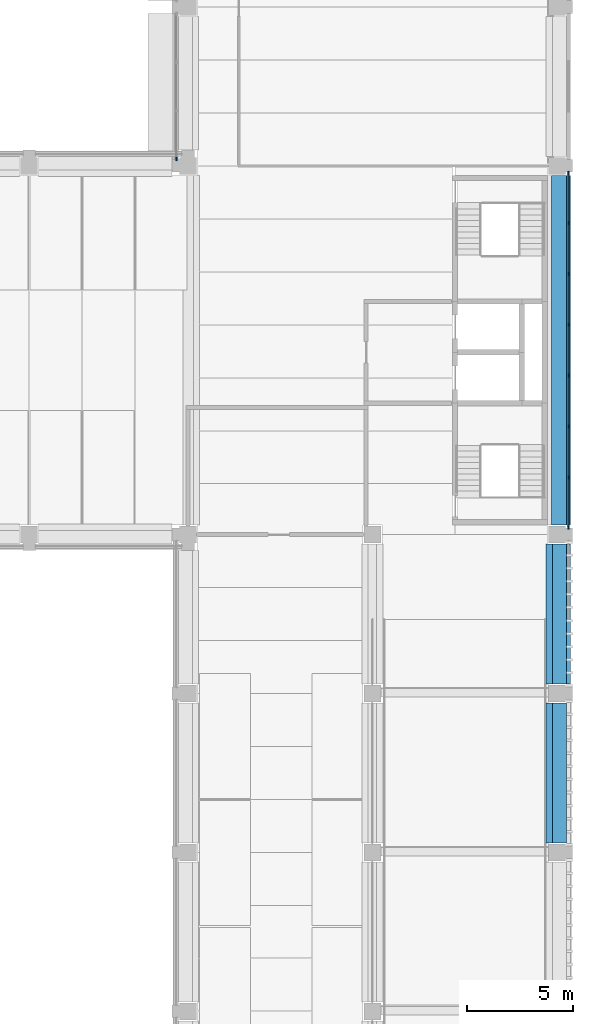
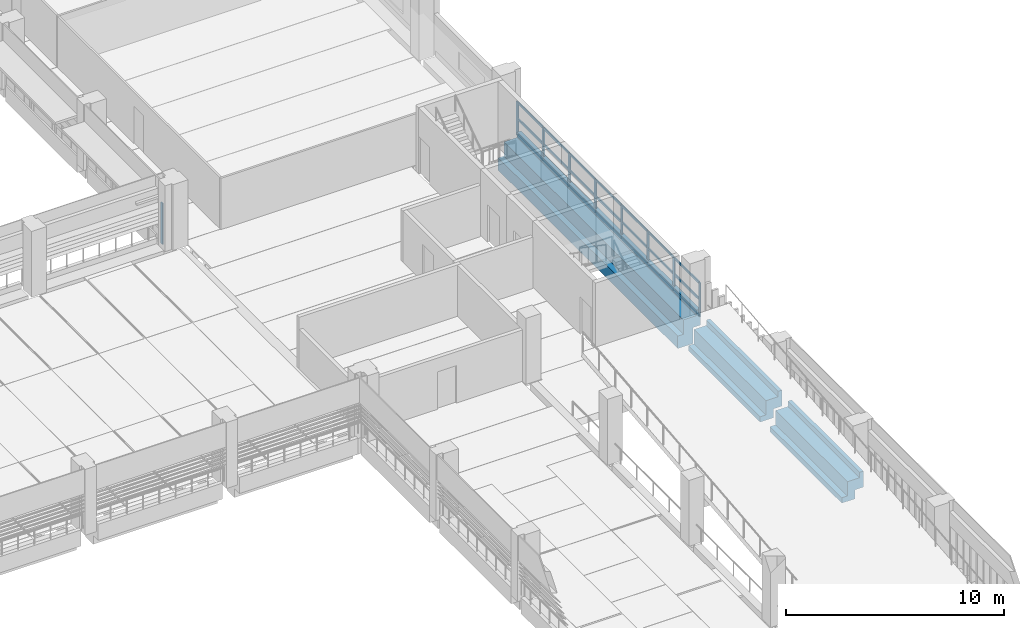
# One storey, part 20 of 61: 30 members, 3 beams, 2 elements without a shape of their own.
"""IFC4 building model written with IfcOpenShell, lengths in metres."""

from ifc_helpers import new_model, si_unit, direction, frame, origin, origin_2d, place, context, subcontext, project, spatial, polyline, rectangle, outline, extrude, material, layer, layer_set, material_profile, profile_set, type_object, element, aggregate, save


model = new_model("IFC4")

# Units and contexts
model_context = context("Model", 3, precision=1e-05, world=origin(), true_north=direction((0.0, 1.0)))
body_context = subcontext(model_context, "Body", "Model", "MODEL_VIEW")
ifc_project = project(units=[si_unit("LENGTHUNIT", "METRE"), si_unit("AREAUNIT", "SQUARE_METRE"), si_unit("VOLUMEUNIT", "CUBIC_METRE"), si_unit("PLANEANGLEUNIT", "RADIAN"), si_unit("MASSUNIT", "GRAM", prefix="KILO")], contexts=[model_context])

# Site, building, storey
site_placement = place(None, origin())
site = spatial("IfcSite", under=ifc_project, at=site_placement, CompositionType="ELEMENT")
building_placement = place(site_placement, origin())
building = spatial("IfcBuilding", under=site, at=building_placement, Name="Cour d'Honneur Mobility Palace", CompositionType="ELEMENT")
storey_placement = place(building_placement, frame((0.0, 0.0, 11.89990234375)))
storey = spatial("IfcBuildingStorey", under=building, at=storey_placement, Name="L03", CompositionType="ELEMENT", Elevation=11.89990234375)

# Curtain wall, member
ifc_material_1 = material(Name="Aluminium and glass", Category="aluminium")
ifc_layer = layer(ifc_material_1, 0.10009765625)
ifc_layer_set = layer_set([ifc_layer], Name="Aluminium and glass")
curtain_wall_type = type_object("IfcCurtainWallType", Name="Curtain wall run", PredefinedType="NOTDEFINED", material=ifc_layer_set)
curtain_wall_1_placement = place(storey_placement, origin())
curtain_wall_1 = element("IfcCurtainWall", 1, at=curtain_wall_1_placement, inside=storey, type_object=curtain_wall_type, Name="Curtain wall CW-64", PredefinedType="NOTDEFINED")
ifc_material_2 = material(Name="Aluminium", Category="aluminium")
ifc_material_profile_1 = material_profile(ifc_material_2, rectangle(XDim=0.06005859375, YDim=0.159912109375, at=origin_2d()), Name="Curtain wall mullion")
ifc_profile_set_1 = profile_set([ifc_material_profile_1], Name="Aluminium")
member_type_1 = type_object("IfcMemberType", Name="Curtain wall mullion", PredefinedType="MULLION", material=ifc_profile_set_1)
member_1_placement = place(storey_placement, frame((144.35009765625, 62.72998046875, 0.0), z_axis=(0.0, 0.0, 1.0), x_axis=(1.0, 0.0, 0.0)))
member_1 = element("IfcMember", 2, at=member_1_placement, type_object=member_type_1, Name="CW-64 mullion 4", PredefinedType="MULLION", context=body_context, shape_type="SweptSolid", body=[
    extrude(rectangle(XDim=0.06005859375, YDim=0.159912109375, at=origin_2d()), origin(), (0.0, 0.0, 1.0), 2.300048828125),
])
aggregate(curtain_wall_1, [member_1])

# Curtain wall, members
curtain_wall_2_placement = place(storey_placement, origin())
curtain_wall_2 = element("IfcCurtainWall", 3, at=curtain_wall_2_placement, inside=storey, type_object=curtain_wall_type, Name="Curtain wall CW-89", PredefinedType="NOTDEFINED")
member_2_placement = place(storey_placement, frame((162.85009765625, 45.330078125, 0.0), z_axis=(0.0, 0.0, 1.0), x_axis=(-1.0, 0.0, 0.0)))
member_2 = element("IfcMember", 4, at=member_2_placement, type_object=member_type_1, Name="CW-89 mullion 1", PredefinedType="MULLION", context=body_context, shape_type="SweptSolid", body=[
    extrude(rectangle(XDim=0.06005859375, YDim=0.159912109375, at=origin_2d()), origin(), (0.0, 0.0, 1.0), 1.900146484375),
])
member_3_placement = place(storey_placement, frame((162.85009765625, 47.699951171875, 0.0), z_axis=(0.0, 0.0, 1.0), x_axis=(-1.0, 0.0, 0.0)))
member_3 = element("IfcMember", 5, at=member_3_placement, type_object=member_type_1, Name="CW-89 mullion 2", PredefinedType="MULLION", context=body_context, shape_type="SweptSolid", body=[
    extrude(rectangle(XDim=0.06005859375, YDim=0.159912109375, at=origin_2d()), origin(), (0.0, 0.0, 1.0), 1.900146484375),
])
member_4_placement = place(storey_placement, frame((162.85009765625, 50.10009765625, 0.0), z_axis=(0.0, 0.0, 1.0), x_axis=(-1.0, 0.0, 0.0)))
member_4 = element("IfcMember", 6, at=member_4_placement, type_object=member_type_1, Name="CW-89 mullion 3", PredefinedType="MULLION", context=body_context, shape_type="SweptSolid", body=[
    extrude(rectangle(XDim=0.06005859375, YDim=0.159912109375, at=origin_2d()), origin(), (0.0, 0.0, 1.0), 1.900146484375),
])
member_5_placement = place(storey_placement, frame((162.85009765625, 52.5, 0.0), z_axis=(0.0, 0.0, 1.0), x_axis=(-1.0, 0.0, 0.0)))
member_5 = element("IfcMember", 7, at=member_5_placement, type_object=member_type_1, Name="CW-89 mullion 4", PredefinedType="MULLION", context=body_context, shape_type="SweptSolid", body=[
    extrude(rectangle(XDim=0.06005859375, YDim=0.159912109375, at=origin_2d()), origin(), (0.0, 0.0, 1.0), 1.900146484375),
])
member_6_placement = place(storey_placement, frame((162.85009765625, 54.89990234375, 0.0), z_axis=(0.0, 0.0, 1.0), x_axis=(-1.0, 0.0, 0.0)))
member_6 = element("IfcMember", 8, at=member_6_placement, type_object=member_type_1, Name="CW-89 mullion 5", PredefinedType="MULLION", context=body_context, shape_type="SweptSolid", body=[
    extrude(rectangle(XDim=0.06005859375, YDim=0.159912109375, at=origin_2d()), origin(), (0.0, 0.0, 1.0), 1.900146484375),
])
member_7_placement = place(storey_placement, frame((162.85009765625, 57.300048828125, 0.0), z_axis=(0.0, 0.0, 1.0), x_axis=(-1.0, 0.0, 0.0)))
member_7 = element("IfcMember", 9, at=member_7_placement, type_object=member_type_1, Name="CW-89 mullion 6", PredefinedType="MULLION", context=body_context, shape_type="SweptSolid", body=[
    extrude(rectangle(XDim=0.06005859375, YDim=0.159912109375, at=origin_2d()), origin(), (0.0, 0.0, 1.0), 1.900146484375),
])
member_8_placement = place(storey_placement, frame((162.85009765625, 59.699951171875, 0.0), z_axis=(0.0, 0.0, 1.0), x_axis=(-1.0, 0.0, 0.0)))
member_8 = element("IfcMember", 10, at=member_8_placement, type_object=member_type_1, Name="CW-89 mullion 7", PredefinedType="MULLION", context=body_context, shape_type="SweptSolid", body=[
    extrude(rectangle(XDim=0.06005859375, YDim=0.159912109375, at=origin_2d()), origin(), (0.0, 0.0, 1.0), 1.900146484375),
])
member_9_placement = place(storey_placement, frame((162.85009765625, 62.070068359375, 0.0), z_axis=(0.0, 0.0, 1.0), x_axis=(-1.0, 0.0, 0.0)))
member_9 = element("IfcMember", 11, at=member_9_placement, type_object=member_type_1, Name="CW-89 mullion 8", PredefinedType="MULLION", context=body_context, shape_type="SweptSolid", body=[
    extrude(rectangle(XDim=0.06005859375, YDim=0.159912109375, at=origin_2d()), origin(), (0.0, 0.0, 1.0), 1.900146484375),
])
ifc_material_3 = material(Name="Aluminium", Category="aluminium")
ifc_material_profile_2 = material_profile(ifc_material_3, rectangle(XDim=0.06005859375, YDim=0.1201171875, at=origin_2d()), Name="Curtain wall transom")
ifc_profile_set_2 = profile_set([ifc_material_profile_2], Name="Aluminium")
member_type_2 = type_object("IfcMemberType", Name="Curtain wall transom", PredefinedType="USERDEFINED", material=ifc_profile_set_2)
member_10_placement = place(storey_placement, frame((162.85009765625, 45.360107421875, 0.030029296875), z_axis=(0.0, 1.0, 0.0), x_axis=(-1.0, 0.0, 0.0)))
member_10 = element("IfcMember", 12, at=member_10_placement, type_object=member_type_2, Name="CW-89 transom 1.1", ObjectType="TRANSOM", PredefinedType="USERDEFINED", context=body_context, shape_type="SweptSolid", body=[
    extrude(rectangle(XDim=0.06005859375, YDim=0.1201171875, at=origin_2d()), origin(), (0.0, 0.0, 1.0), 2.309814453125),
])
member_11_placement = place(storey_placement, frame((162.85009765625, 45.360107421875, 0.9501953125), z_axis=(0.0, 1.0, 0.0), x_axis=(-1.0, 0.0, 0.0)))
member_11 = element("IfcMember", 13, at=member_11_placement, type_object=member_type_2, Name="CW-89 transom 1.2", ObjectType="TRANSOM", PredefinedType="USERDEFINED", context=body_context, shape_type="SweptSolid", body=[
    extrude(rectangle(XDim=0.06005859375, YDim=0.1201171875, at=origin_2d()), origin(), (0.0, 0.0, 1.0), 2.309814453125),
])
member_12_placement = place(storey_placement, frame((162.85009765625, 45.360107421875, 1.8701171875), z_axis=(0.0, 1.0, 0.0), x_axis=(-1.0, 0.0, 0.0)))
member_12 = element("IfcMember", 14, at=member_12_placement, type_object=member_type_2, Name="CW-89 transom 1.3", ObjectType="TRANSOM", PredefinedType="USERDEFINED", context=body_context, shape_type="SweptSolid", body=[
    extrude(rectangle(XDim=0.06005859375, YDim=0.1201171875, at=origin_2d()), origin(), (0.0, 0.0, 1.0), 2.309814453125),
])
member_13_placement = place(storey_placement, frame((162.85009765625, 47.72998046875, 0.030029296875), z_axis=(0.0, 1.0, 0.0), x_axis=(-1.0, 0.0, 0.0)))
member_13 = element("IfcMember", 15, at=member_13_placement, type_object=member_type_2, Name="CW-89 transom 2.1", ObjectType="TRANSOM", PredefinedType="USERDEFINED", context=body_context, shape_type="SweptSolid", body=[
    extrude(rectangle(XDim=0.06005859375, YDim=0.1201171875, at=origin_2d()), origin(), (0.0, 0.0, 1.0), 2.340087890625),
])
member_14_placement = place(storey_placement, frame((162.85009765625, 47.72998046875, 0.9501953125), z_axis=(0.0, 1.0, 0.0), x_axis=(-1.0, 0.0, 0.0)))
member_14 = element("IfcMember", 16, at=member_14_placement, type_object=member_type_2, Name="CW-89 transom 2.2", ObjectType="TRANSOM", PredefinedType="USERDEFINED", context=body_context, shape_type="SweptSolid", body=[
    extrude(rectangle(XDim=0.06005859375, YDim=0.1201171875, at=origin_2d()), origin(), (0.0, 0.0, 1.0), 2.340087890625),
])
member_15_placement = place(storey_placement, frame((162.85009765625, 47.72998046875, 1.8701171875), z_axis=(0.0, 1.0, 0.0), x_axis=(-1.0, 0.0, 0.0)))
member_15 = element("IfcMember", 17, at=member_15_placement, type_object=member_type_2, Name="CW-89 transom 2.3", ObjectType="TRANSOM", PredefinedType="USERDEFINED", context=body_context, shape_type="SweptSolid", body=[
    extrude(rectangle(XDim=0.06005859375, YDim=0.1201171875, at=origin_2d()), origin(), (0.0, 0.0, 1.0), 2.340087890625),
])
member_16_placement = place(storey_placement, frame((162.85009765625, 50.1298828125, 0.030029296875), z_axis=(0.0, 1.0, 0.0), x_axis=(-1.0, 0.0, 0.0)))
member_16 = element("IfcMember", 18, at=member_16_placement, type_object=member_type_2, Name="CW-89 transom 3.1", ObjectType="TRANSOM", PredefinedType="USERDEFINED", context=body_context, shape_type="SweptSolid", body=[
    extrude(rectangle(XDim=0.06005859375, YDim=0.1201171875, at=origin_2d()), origin(), (0.0, 0.0, 1.0), 2.340087890625),
])
member_17_placement = place(storey_placement, frame((162.85009765625, 50.1298828125, 0.9501953125), z_axis=(0.0, 1.0, 0.0), x_axis=(-1.0, 0.0, 0.0)))
member_17 = element("IfcMember", 19, at=member_17_placement, type_object=member_type_2, Name="CW-89 transom 3.2", ObjectType="TRANSOM", PredefinedType="USERDEFINED", context=body_context, shape_type="SweptSolid", body=[
    extrude(rectangle(XDim=0.06005859375, YDim=0.1201171875, at=origin_2d()), origin(), (0.0, 0.0, 1.0), 2.340087890625),
])
member_18_placement = place(storey_placement, frame((162.85009765625, 50.1298828125, 1.8701171875), z_axis=(0.0, 1.0, 0.0), x_axis=(-1.0, 0.0, 0.0)))
member_18 = element("IfcMember", 20, at=member_18_placement, type_object=member_type_2, Name="CW-89 transom 3.3", ObjectType="TRANSOM", PredefinedType="USERDEFINED", context=body_context, shape_type="SweptSolid", body=[
    extrude(rectangle(XDim=0.06005859375, YDim=0.1201171875, at=origin_2d()), origin(), (0.0, 0.0, 1.0), 2.340087890625),
])
member_19_placement = place(storey_placement, frame((162.85009765625, 52.530029296875, 0.030029296875), z_axis=(0.0, 1.0, 0.0), x_axis=(-1.0, 0.0, 0.0)))
member_19 = element("IfcMember", 21, at=member_19_placement, type_object=member_type_2, Name="CW-89 transom 4.1", ObjectType="TRANSOM", PredefinedType="USERDEFINED", context=body_context, shape_type="SweptSolid", body=[
    extrude(rectangle(XDim=0.06005859375, YDim=0.1201171875, at=origin_2d()), origin(), (0.0, 0.0, 1.0), 2.340087890625),
])
member_20_placement = place(storey_placement, frame((162.85009765625, 52.530029296875, 0.9501953125), z_axis=(0.0, 1.0, 0.0), x_axis=(-1.0, 0.0, 0.0)))
member_20 = element("IfcMember", 22, at=member_20_placement, type_object=member_type_2, Name="CW-89 transom 4.2", ObjectType="TRANSOM", PredefinedType="USERDEFINED", context=body_context, shape_type="SweptSolid", body=[
    extrude(rectangle(XDim=0.06005859375, YDim=0.1201171875, at=origin_2d()), origin(), (0.0, 0.0, 1.0), 2.340087890625),
])
member_21_placement = place(storey_placement, frame((162.85009765625, 52.530029296875, 1.8701171875), z_axis=(0.0, 1.0, 0.0), x_axis=(-1.0, 0.0, 0.0)))
member_21 = element("IfcMember", 23, at=member_21_placement, type_object=member_type_2, Name="CW-89 transom 4.3", ObjectType="TRANSOM", PredefinedType="USERDEFINED", context=body_context, shape_type="SweptSolid", body=[
    extrude(rectangle(XDim=0.06005859375, YDim=0.1201171875, at=origin_2d()), origin(), (0.0, 0.0, 1.0), 2.340087890625),
])
member_22_placement = place(storey_placement, frame((162.85009765625, 54.929931640625, 0.030029296875), z_axis=(0.0, 1.0, 0.0), x_axis=(-1.0, 0.0, 0.0)))
member_22 = element("IfcMember", 24, at=member_22_placement, type_object=member_type_2, Name="CW-89 transom 5.1", ObjectType="TRANSOM", PredefinedType="USERDEFINED", context=body_context, shape_type="SweptSolid", body=[
    extrude(rectangle(XDim=0.06005859375, YDim=0.1201171875, at=origin_2d()), origin(), (0.0, 0.0, 1.0), 2.340087890625),
])
member_23_placement = place(storey_placement, frame((162.85009765625, 54.929931640625, 0.9501953125), z_axis=(0.0, 1.0, 0.0), x_axis=(-1.0, 0.0, 0.0)))
member_23 = element("IfcMember", 25, at=member_23_placement, type_object=member_type_2, Name="CW-89 transom 5.2", ObjectType="TRANSOM", PredefinedType="USERDEFINED", context=body_context, shape_type="SweptSolid", body=[
    extrude(rectangle(XDim=0.06005859375, YDim=0.1201171875, at=origin_2d()), origin(), (0.0, 0.0, 1.0), 2.340087890625),
])
member_24_placement = place(storey_placement, frame((162.85009765625, 54.929931640625, 1.8701171875), z_axis=(0.0, 1.0, 0.0), x_axis=(-1.0, 0.0, 0.0)))
member_24 = element("IfcMember", 26, at=member_24_placement, type_object=member_type_2, Name="CW-89 transom 5.3", ObjectType="TRANSOM", PredefinedType="USERDEFINED", context=body_context, shape_type="SweptSolid", body=[
    extrude(rectangle(XDim=0.06005859375, YDim=0.1201171875, at=origin_2d()), origin(), (0.0, 0.0, 1.0), 2.340087890625),
])
member_25_placement = place(storey_placement, frame((162.85009765625, 57.330078125, 0.030029296875), z_axis=(0.0, 1.0, 0.0), x_axis=(-1.0, 0.0, 0.0)))
member_25 = element("IfcMember", 27, at=member_25_placement, type_object=member_type_2, Name="CW-89 transom 6.1", ObjectType="TRANSOM", PredefinedType="USERDEFINED", context=body_context, shape_type="SweptSolid", body=[
    extrude(rectangle(XDim=0.06005859375, YDim=0.1201171875, at=origin_2d()), origin(), (0.0, 0.0, 1.0), 2.33984375),
])
member_26_placement = place(storey_placement, frame((162.85009765625, 57.330078125, 0.9501953125), z_axis=(0.0, 1.0, 0.0), x_axis=(-1.0, 0.0, 0.0)))
member_26 = element("IfcMember", 28, at=member_26_placement, type_object=member_type_2, Name="CW-89 transom 6.2", ObjectType="TRANSOM", PredefinedType="USERDEFINED", context=body_context, shape_type="SweptSolid", body=[
    extrude(rectangle(XDim=0.06005859375, YDim=0.1201171875, at=origin_2d()), origin(), (0.0, 0.0, 1.0), 2.33984375),
])
member_27_placement = place(storey_placement, frame((162.85009765625, 57.330078125, 1.8701171875), z_axis=(0.0, 1.0, 0.0), x_axis=(-1.0, 0.0, 0.0)))
member_27 = element("IfcMember", 29, at=member_27_placement, type_object=member_type_2, Name="CW-89 transom 6.3", ObjectType="TRANSOM", PredefinedType="USERDEFINED", context=body_context, shape_type="SweptSolid", body=[
    extrude(rectangle(XDim=0.06005859375, YDim=0.1201171875, at=origin_2d()), origin(), (0.0, 0.0, 1.0), 2.33984375),
])
member_28_placement = place(storey_placement, frame((162.85009765625, 59.72998046875, 0.030029296875), z_axis=(0.0, 1.0, 0.0), x_axis=(-1.0, 0.0, 0.0)))
member_28 = element("IfcMember", 30, at=member_28_placement, type_object=member_type_2, Name="CW-89 transom 7.1", ObjectType="TRANSOM", PredefinedType="USERDEFINED", context=body_context, shape_type="SweptSolid", body=[
    extrude(rectangle(XDim=0.06005859375, YDim=0.1201171875, at=origin_2d()), origin(), (0.0, 0.0, 1.0), 2.31005859375),
])
member_29_placement = place(storey_placement, frame((162.85009765625, 59.72998046875, 0.9501953125), z_axis=(0.0, 1.0, 0.0), x_axis=(-1.0, 0.0, 0.0)))
member_29 = element("IfcMember", 31, at=member_29_placement, type_object=member_type_2, Name="CW-89 transom 7.2", ObjectType="TRANSOM", PredefinedType="USERDEFINED", context=body_context, shape_type="SweptSolid", body=[
    extrude(rectangle(XDim=0.06005859375, YDim=0.1201171875, at=origin_2d()), origin(), (0.0, 0.0, 1.0), 2.31005859375),
])
member_30_placement = place(storey_placement, frame((162.85009765625, 59.72998046875, 1.8701171875), z_axis=(0.0, 1.0, 0.0), x_axis=(-1.0, 0.0, 0.0)))
member_30 = element("IfcMember", 32, at=member_30_placement, type_object=member_type_2, Name="CW-89 transom 7.3", ObjectType="TRANSOM", PredefinedType="USERDEFINED", context=body_context, shape_type="SweptSolid", body=[
    extrude(rectangle(XDim=0.06005859375, YDim=0.1201171875, at=origin_2d()), origin(), (0.0, 0.0, 1.0), 2.31005859375),
])
aggregate(curtain_wall_2, [member_2, member_3, member_4, member_5, member_6, member_7, member_8, member_9, member_10, member_11, member_12, member_13, member_14, member_15, member_16, member_17, member_18, member_19, member_20, member_21, member_22, member_23, member_24, member_25, member_26, member_27, member_28, member_29, member_30])

# Beams
ifc_material_4 = material(Name="Concrete C45", Category="concrete")
ifc_material_profile_3 = material_profile(ifc_material_4, outline(polyline([(0.5, -1.10009765625), (0.5, -0.800048828125), (0.199951171875, -0.800048828125), (0.199951171875, 0.0), (-0.199951171875, 0.0), (-0.449951171875, 0.0), (-0.449951171875, 0.300048828125), (-0.64990234375, 0.300048828125), (-0.64990234375, -0.60009765625), (-0.199951171875, -0.60009765625), (-0.199951171875, -1.10009765625), (0.5, -1.10009765625)])), Name="Ledger Beam 400x1100 ledge left 300 facade right")
ifc_profile_set_3 = profile_set([ifc_material_profile_3], Name="Concrete C45")
beam_type_1 = type_object("IfcBeamType", Name="Ledger Beam 400x1100 ledge left 300 facade right", PredefinedType="BEAM", material=ifc_profile_set_3)
for number, where, z_axis, x_axis, name in (
    (33, (162.300048828125, 30.449951171875, 0.0), (0.0, 1.0, 0.0), (-1.0, 0.0, 0.0), "Precast beam B3 E-F L03"),
    (34, (162.300048828125, 37.949951171875, 0.0), (0.0, 1.0, 0.0), (-1.0, 0.0, 0.0), "Precast beam B3 F-G L03"),
):
    element("IfcBeam", number, at=place(storey_placement, frame(where, z_axis=z_axis, x_axis=x_axis)), inside=storey, type_object=beam_type_1, Name=name, PredefinedType="BEAM", context=body_context, shape_type="SweptSolid", body=[
        extrude(outline(polyline([(0.5, -1.10009765625), (0.5, -0.800048828125), (0.199951171875, -0.800048828125), (0.199951171875, 0.0), (-0.199951171875, 0.0), (-0.449951171875, 0.0), (-0.449951171875, 0.300048828125), (-0.64990234375, 0.300048828125), (-0.64990234375, -0.60009765625), (-0.199951171875, -0.60009765625), (-0.199951171875, -1.10009765625), (0.5, -1.10009765625)])), origin(), (0.0, 0.0, 1.0), 6.60009765625),
    ])
ifc_material_5 = material(Name="Concrete C45", Category="concrete")
ifc_material_profile_4 = material_profile(ifc_material_5, outline(polyline([(0.550048828125, -1.5), (0.550048828125, -0.800048828125), (0.25, -0.800048828125), (0.25, 0.0), (-0.25, 0.0), (-0.449951171875, 0.0), (-0.449951171875, 0.300048828125), (-0.64990234375, 0.300048828125), (-0.64990234375, -0.60009765625), (-0.25, -0.60009765625), (-0.25, -1.5), (0.550048828125, -1.5)])), Name="Ledger Beam 500x1500 ledge left 700 facade right")
ifc_profile_set_4 = profile_set([ifc_material_profile_4], Name="Concrete C45")
beam_type_2 = type_object("IfcBeamType", Name="Ledger Beam 500x1500 ledge left 700 facade right", PredefinedType="BEAM", material=ifc_profile_set_4)
beam_placement = place(storey_placement, frame((162.300048828125, 45.449951171875, 0.0), z_axis=(0.0, 1.0, 0.0), x_axis=(-1.0, 0.0, 0.0)))
element("IfcBeam", 35, at=beam_placement, inside=storey, type_object=beam_type_2, Name="Precast beam B21 G-H L03", PredefinedType="BEAM", context=body_context, shape_type="SweptSolid", body=[
    extrude(outline(polyline([(0.550048828125, -1.5), (0.550048828125, -0.800048828125), (0.25, -0.800048828125), (0.25, 0.0), (-0.25, 0.0), (-0.449951171875, 0.0), (-0.449951171875, 0.300048828125), (-0.64990234375, 0.300048828125), (-0.64990234375, -0.60009765625), (-0.25, -0.60009765625), (-0.25, -1.5), (0.550048828125, -1.5)])), origin(), (0.0, 0.0, 1.0), 16.5),
])

save(model, "model.ifc")
